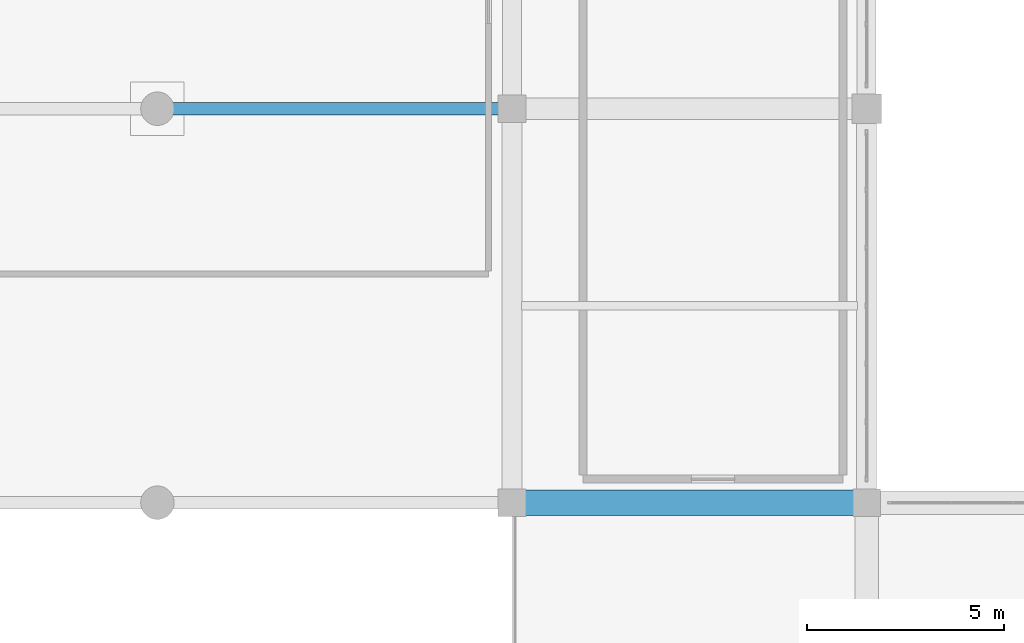
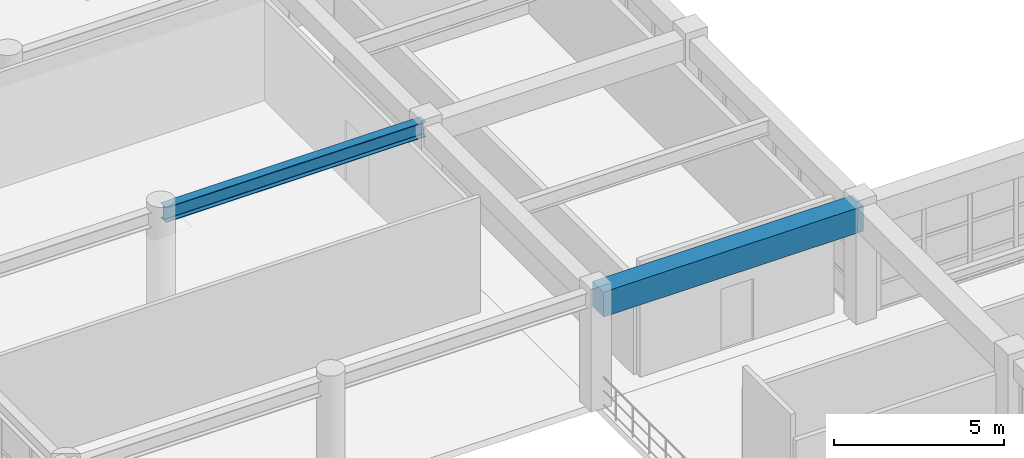
# One storey, part 53 of 133: 2 beams.
"""IFC4 building model written with IfcOpenShell, lengths in metres."""

from ifc_helpers import new_model, si_unit, direction, frame, origin, origin_2d, place, context, subcontext, project, spatial, rectangle, i_section, extrude, material, material_profile, profile_set, type_object, element, save


model = new_model("IFC4")

# Units and contexts
model_context = context("Model", 3, precision=1e-05, world=origin(), true_north=direction((0.0, 1.0)))
body_context = subcontext(model_context, "Body", "Model", "MODEL_VIEW")
ifc_project = project(units=[si_unit("LENGTHUNIT", "METRE"), si_unit("AREAUNIT", "SQUARE_METRE"), si_unit("VOLUMEUNIT", "CUBIC_METRE"), si_unit("PLANEANGLEUNIT", "RADIAN"), si_unit("MASSUNIT", "GRAM", prefix="KILO")], contexts=[model_context])

# Site, building, storey
site_placement = place(None, origin())
site = spatial("IfcSite", under=ifc_project, at=site_placement, CompositionType="ELEMENT")
building_placement = place(site_placement, origin())
building = spatial("IfcBuilding", under=site, at=building_placement, Name="Miravela Opera House", CompositionType="ELEMENT")
storey_placement = place(building_placement, frame((0.0, 0.0, 5.10009765625)))
storey = spatial("IfcBuildingStorey", under=building, at=storey_placement, Name="L01", CompositionType="ELEMENT", Elevation=5.10009765625)

# Beams
ifc_material_1 = material(Name="Concrete C40/50", Category="concrete")
ifc_material_profile_1 = material_profile(ifc_material_1, rectangle(XDim=0.64990234375, YDim=0.89990234375, at=origin_2d()), Name="RC-BM-650X900")
ifc_profile_set_1 = profile_set([ifc_material_profile_1])
beam_type_1 = type_object("IfcBeamType", Name="STR-BM-RC650X900", PredefinedType="BEAM", material=ifc_profile_set_1)
beam_1_placement = place(storey_placement, frame((18.080078125, 84.0, 3.7099609375), z_axis=(1.0, 0.0, 0.0), x_axis=(0.0, 1.0, 0.0)))
element("IfcBeam", 1, at=beam_1_placement, inside=storey, type_object=beam_type_1, Name="Floor Girder L01 3-4/J", PredefinedType="BEAM", context=body_context, shape_type="SweptSolid", body=[
    extrude(rectangle(XDim=0.64990234375, YDim=0.89990234375, at=origin_2d()), origin(), (0.0, 0.0, 1.0), 8.83984375),
])
ifc_material_2 = material(Name="Structural steel ASTM A992 Gr. 50", Category="steel")
ifc_material_profile_2 = material_profile(ifc_material_2, i_section(OverallWidth=0.31201171875, OverallDepth=0.54296875, WebThickness=0.0126953125, FlangeThickness=0.020263671875, FilletRadius=0.01611328125, at=origin_2d()), Name="W530X150")
ifc_profile_set_2 = profile_set([ifc_material_profile_2])
beam_type_2 = type_object("IfcBeamType", Name="STR-BM-W530X150", PredefinedType="BEAM", material=ifc_profile_set_2)
beam_2_placement = place(storey_placement, frame((9.080078125, 94.0, 3.908447265625), z_axis=(1.0, 0.0, 0.0), x_axis=(0.0, 1.0, 0.0)))
element("IfcBeam", 2, at=beam_2_placement, inside=storey, type_object=beam_type_2, Name="Roof King-Post Transverse Tie Girder ROOF-V5-NORTH T1.2", PredefinedType="BEAM", context=body_context, shape_type="SweptSolid", body=[
    extrude(i_section(OverallWidth=0.31201171875, OverallDepth=0.54296875, WebThickness=0.0126953125, FlangeThickness=0.020263671875, FilletRadius=0.01611328125, at=origin_2d()), origin(), (0.0, 0.0, 1.0), 8.83984375),
])

save(model, "model.ifc")
